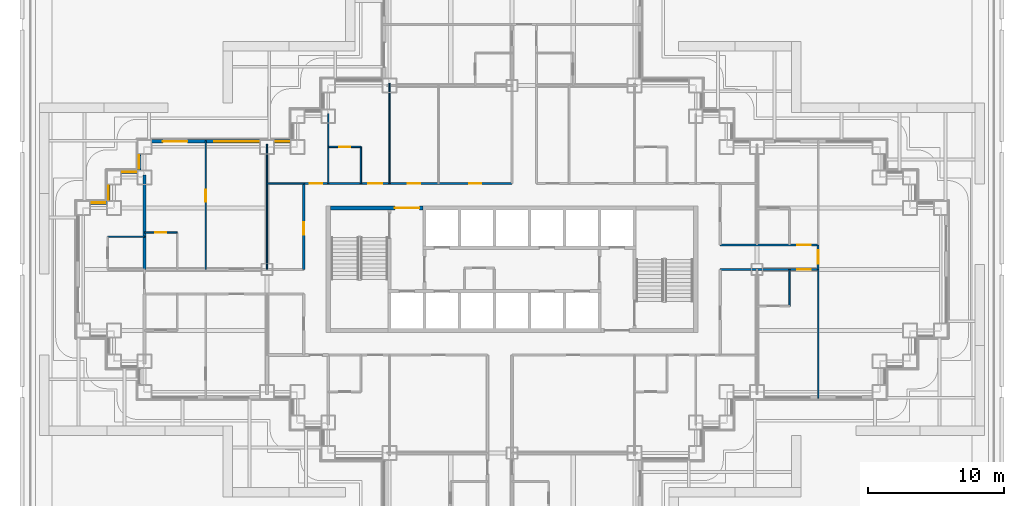
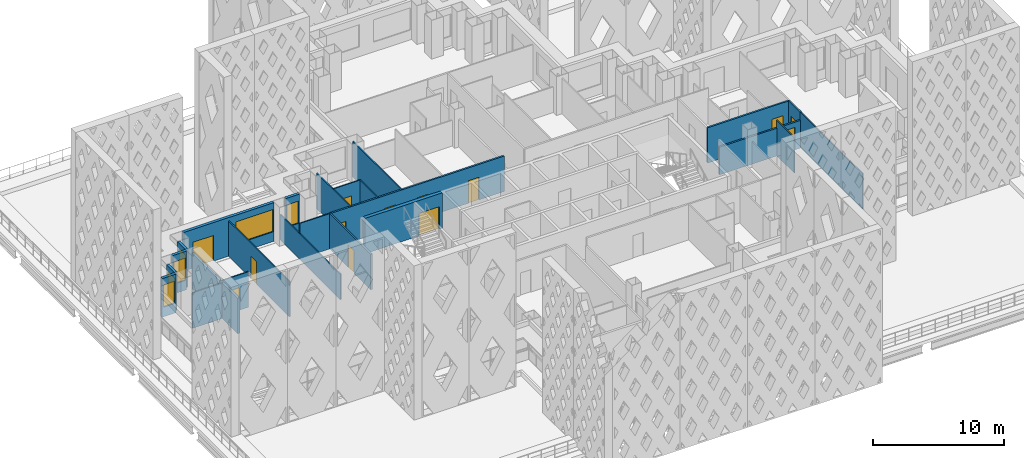
# One storey, part 7 of 26: 24 walls, 13 doors, 6 windows, 19 openings.
"""IFC4 building model written with IfcOpenShell, lengths in metres."""

from ifc_helpers import new_model, si_unit, direction, frame, frame_2d, origin, place, context, subcontext, project, spatial, rectangle, extrude, material, layer, layer_set, type_object, element, fill, save


model = new_model("IFC4")

# Units and contexts
model_context = context("Model", 3, precision=1e-05, world=origin(), true_north=direction((0.0, 1.0)))
body_context = subcontext(model_context, "Body", "Model", "MODEL_VIEW")
ifc_project = project(units=[si_unit("LENGTHUNIT", "METRE"), si_unit("AREAUNIT", "SQUARE_METRE"), si_unit("VOLUMEUNIT", "CUBIC_METRE"), si_unit("PLANEANGLEUNIT", "RADIAN"), si_unit("MASSUNIT", "GRAM", prefix="KILO")], contexts=[model_context])

# Site, building, storey
site_placement = place(None, origin())
site = spatial("IfcSite", under=ifc_project, at=site_placement, CompositionType="ELEMENT")
building_placement = place(site_placement, origin())
building = spatial("IfcBuilding", under=site, at=building_placement, Name="Caravel Reach Hotel and Residences", CompositionType="ELEMENT")
storey_placement = place(building_placement, frame((0.0, 0.0, 33.60009765625)))
storey = spatial("IfcBuildingStorey", under=building, at=storey_placement, Name="L06", CompositionType="ELEMENT", Elevation=33.60009765625)

# Wall
ifc_material_1 = material(Name="Gypsum board on steel stud", Category="steel")
ifc_layer_1 = layer(ifc_material_1, 0.10009765625)
ifc_layer_set_1 = layer_set([ifc_layer_1], Name="Bathroom pod wall 100 mm")
wall_type_1 = type_object("IfcWallType", Name="Bathroom pod wall 100 mm", PredefinedType="PARTITIONING", material=ifc_layer_set_1)
wall_1_placement = place(storey_placement, frame((1.800048828125, 29.39990234375, 0.0), z_axis=(0.0, 0.0, 1.0), x_axis=(1.0, 0.0, 0.0)))
element("IfcWall", 1, at=wall_1_placement, inside=storey, type_object=wall_type_1, Name="L06 wall w087", PredefinedType="PARTITIONING", context=body_context, shape_type="SweptSolid", body=[
    extrude(rectangle(XDim=2.699951171875, YDim=0.10009765625, at=frame_2d((1.35009765625, 0.0))), origin(), (0.0, 0.0, 1.0), 3.2998046875),
])

# Wall, opening, door
wall_2_placement = place(storey_placement, frame((4.5, 29.699951171875, 0.0), z_axis=(0.0, 0.0, 1.0), x_axis=(1.0, 0.0, 0.0)))
wall_2 = element("IfcWall", 2, at=wall_2_placement, inside=storey, type_object=wall_type_1, Name="L06 wall w088", PredefinedType="PARTITIONING", context=body_context, shape_type="SweptSolid", body=[
    extrude(rectangle(XDim=2.39990234375, YDim=0.10009765625, at=frame_2d((1.199951171875, 0.0))), origin(), (0.0, 0.0, 1.0), 3.2998046875),
])
opening_1_placement = place(wall_2_placement, frame((0.800048828125, 0.0, 0.0)))
opening_1 = element("IfcOpeningElement", 3, at=opening_1_placement, cuts=wall_2, Name="Opening D06-020", PredefinedType="OPENING", context=body_context, shape_type="SweptSolid", body=[
    extrude(rectangle(XDim=0.800048828125, YDim=2.10009765625, at=frame_2d((0.39990234375, 1.050048828125))), frame((0.0, 0.06005859375, 0.0), z_axis=(0.0, -1.0, 0.0), x_axis=(1.0, 0.0, 0.0)), (0.0, 0.0, 1.0), 0.1201171875),
])
ifc_material_2 = material(Name="Timber and steel door leaf", Category="steel")
door_type_1 = type_object("IfcDoorType", Name="Bathroom door 800 x 2100", OperationType="SINGLE_SWING_LEFT", PredefinedType="DOOR", material=ifc_material_2)
door_1_placement = place(opening_1_placement, origin())
door_1 = element("IfcDoor", 4, at=door_1_placement, inside=storey, type_object=door_type_1, Name="door D06-020", OperationType="SINGLE_SWING_LEFT", OverallHeight=2.10009765625, OverallWidth=0.800048828125, PredefinedType="DOOR", context=body_context, shape_type="SweptSolid", body=[
    extrude(rectangle(XDim=0.800048828125, YDim=2.10009765625, at=frame_2d((0.39990234375, 1.050048828125))), frame((0.0, 0.02490234375, 0.0), z_axis=(0.0, -1.0, 0.0), x_axis=(1.0, 0.0, 0.0)), (0.0, 0.0, 1.0), 0.050048828125),
])
fill(opening_1, door_1)

wall_3_placement = place(storey_placement, frame((18.0, 36.0, 0.0), z_axis=(0.0, 0.0, 1.0), x_axis=(1.0, 0.0, 0.0)))
wall_3 = element("IfcWall", 5, at=wall_3_placement, inside=storey, type_object=wall_type_1, Name="L06 wall w090", PredefinedType="PARTITIONING", context=body_context, shape_type="SweptSolid", body=[
    extrude(rectangle(XDim=2.39990234375, YDim=0.10009765625, at=frame_2d((1.199951171875, 0.0))), origin(), (0.0, 0.0, 1.0), 3.2998046875),
])
opening_2_placement = place(wall_3_placement, frame((0.800048828125, 0.0, 0.0)))
opening_2 = element("IfcOpeningElement", 6, at=opening_2_placement, cuts=wall_3, Name="Opening D06-044", PredefinedType="OPENING", context=body_context, shape_type="SweptSolid", body=[
    extrude(rectangle(XDim=0.800048828125, YDim=2.10009765625, at=frame_2d((0.39990234375, 1.050048828125))), frame((0.0, 0.06005859375, 0.0), z_axis=(0.0, -1.0, 0.0), x_axis=(1.0, 0.0, 0.0)), (0.0, 0.0, 1.0), 0.1201171875),
])
door_2_placement = place(opening_2_placement, origin())
door_2 = element("IfcDoor", 7, at=door_2_placement, inside=storey, type_object=door_type_1, Name="door D06-044", OperationType="SINGLE_SWING_RIGHT", OverallHeight=2.10009765625, OverallWidth=0.800048828125, PredefinedType="DOOR", context=body_context, shape_type="SweptSolid", body=[
    extrude(rectangle(XDim=0.800048828125, YDim=2.10009765625, at=frame_2d((0.39990234375, 1.050048828125))), frame((0.0, 0.02490234375, 0.0), z_axis=(0.0, -1.0, 0.0), x_axis=(1.0, 0.0, 0.0)), (0.0, 0.0, 1.0), 0.050048828125),
])
fill(opening_2, door_2)

# Walls
for number, where, z_axis, x_axis, name in (
    (8, (20.39990234375, 33.300048828125, 0.0), (0.0, 0.0, 1.0), (0.0, 1.0, 0.0), "L06 wall w097"),
    (9, (51.89990234375, 24.300048828125, 0.0), (0.0, 0.0, 1.0), (0.0, 1.0, 0.0), "L06 wall w110"),
):
    element("IfcWall", number, at=place(storey_placement, frame(where, z_axis=z_axis, x_axis=x_axis)), inside=storey, type_object=wall_type_1, Name=name, PredefinedType="PARTITIONING", context=body_context, shape_type="SweptSolid", body=[
        extrude(rectangle(XDim=2.699951171875, YDim=0.10009765625, at=frame_2d((1.35009765625, 0.0))), origin(), (0.0, 0.0, 1.0), 3.2998046875),
    ])

# Wall, opening, door
ifc_material_3 = material(Name="Concrete C60", Category="concrete")
ifc_layer_2 = layer(ifc_material_3, 0.300048828125)
ifc_layer_set_2 = layer_set([ifc_layer_2], Name="Core wall 300 mm EI 120")
wall_type_2 = type_object("IfcWallType", Name="Core wall 300 mm EI 120", PredefinedType="SHEAR", material=ifc_layer_set_2)
wall_4_placement = place(storey_placement, frame((18.14990234375, 31.5, 0.0), z_axis=(0.0, 0.0, 1.0), x_axis=(1.0, 0.0, 0.0)))
wall_4 = element("IfcWall", 10, at=wall_4_placement, inside=storey, type_object=wall_type_2, Name="L06 core wall N1", PredefinedType="SHEAR", context=body_context, shape_type="SweptSolid", body=[
    extrude(rectangle(XDim=6.796630859375, YDim=0.300048828125, at=frame_2d((3.3984375, 0.0))), origin(), (0.0, 0.0, 1.0), 3.2998046875),
])
opening_3_placement = place(wall_4_placement, frame((4.735595703125, 0.0, 0.0)))
opening_3 = element("IfcOpeningElement", 11, at=opening_3_placement, cuts=wall_4, Name="Opening D06-013", PredefinedType="OPENING", context=body_context, shape_type="SweptSolid", body=[
    extrude(rectangle(XDim=1.800048828125, YDim=2.10009765625, at=frame_2d((0.89990234375, 1.050048828125))), frame((0.0, 0.159912109375, 0.0), z_axis=(0.0, -1.0, 0.0), x_axis=(1.0, 0.0, 0.0)), (0.0, 0.0, 1.0), 0.320068359375),
])
ifc_material_4 = material(Name="Steel fire door leaf", Category="steel")
door_type_2 = type_object("IfcDoorType", Name="Fire lobby door pair 1800 x 2100 EI 90", OperationType="DOUBLE_DOOR_SINGLE_SWING", PredefinedType="DOOR", material=ifc_material_4)
door_3_placement = place(opening_3_placement, origin())
door_3 = element("IfcDoor", 12, at=door_3_placement, inside=storey, type_object=door_type_2, Name="lobby N door pair to corridor", OperationType="DOUBLE_DOOR_SINGLE_SWING", OverallHeight=2.10009765625, OverallWidth=1.800048828125, PredefinedType="DOOR", context=body_context, shape_type="SweptSolid", body=[
    extrude(rectangle(XDim=1.800048828125, YDim=2.10009765625, at=frame_2d((0.89990234375, 1.050048828125))), frame((0.0, 0.02490234375, 0.0), z_axis=(0.0, -1.0, 0.0), x_axis=(1.0, 0.0, 0.0)), (0.0, 0.0, 1.0), 0.050048828125),
])
fill(opening_3, door_3)

ifc_material_5 = material(Name="Gypsum board on steel stud, fire-rated", Category="steel")
ifc_layer_3 = layer(ifc_material_5, 0.14990234375)
ifc_layer_set_3 = layer_set([ifc_layer_3], Name="Corridor wall 150 mm EI 60")
wall_type_3 = type_object("IfcWallType", Name="Corridor wall 150 mm EI 60", PredefinedType="PARTITIONING", material=ifc_layer_set_3)
wall_5_placement = place(storey_placement, frame((46.800048828125, 27.0, 0.0), z_axis=(0.0, 0.0, 1.0), x_axis=(1.0, 0.0, 0.0)))
wall_5 = element("IfcWall", 13, at=wall_5_placement, inside=storey, type_object=wall_type_3, Name="L06 wall w010", PredefinedType="PARTITIONING", context=body_context, shape_type="SweptSolid", body=[
    extrude(rectangle(XDim=7.199951171875, YDim=0.14990234375, at=frame_2d((3.60009765625, 0.0))), origin(), (0.0, 0.0, 1.0), 2.579833984375),
])
opening_4_placement = place(wall_5_placement, frame((5.64990234375, 0.0, 0.0)))
opening_4 = element("IfcOpeningElement", 14, at=opening_4_placement, cuts=wall_5, Name="Opening D06-021", PredefinedType="OPENING", context=body_context, shape_type="SweptSolid", body=[
    extrude(rectangle(XDim=1.0, YDim=2.10009765625, at=frame_2d((0.5, 1.050048828125))), frame((0.0, 0.0849609375, 0.0), z_axis=(0.0, -1.0, 0.0), x_axis=(1.0, 0.0, 0.0)), (0.0, 0.0, 1.0), 0.169921875),
])
ifc_material_6 = material(Name="Steel fire door leaf", Category="steel")
door_type_3 = type_object("IfcDoorType", Name="Guest room door 1000 x 2100 EI 30", OperationType="SINGLE_SWING_LEFT", PredefinedType="DOOR", material=ifc_material_6)
door_4_placement = place(opening_4_placement, origin())
door_4 = element("IfcDoor", 15, at=door_4_placement, inside=storey, type_object=door_type_3, Name="door D06-021", OperationType="SINGLE_SWING_RIGHT", OverallHeight=2.10009765625, OverallWidth=1.0, PredefinedType="DOOR", context=body_context, shape_type="SweptSolid", body=[
    extrude(rectangle(XDim=1.0, YDim=2.10009765625, at=frame_2d((0.5, 1.050048828125))), frame((0.0, 0.02490234375, 0.0), z_axis=(0.0, -1.0, 0.0), x_axis=(1.0, 0.0, 0.0)), (0.0, 0.0, 1.0), 0.050048828125),
])
fill(opening_4, door_4)

wall_6_placement = place(storey_placement, frame((46.800048828125, 28.800048828125, 0.0), z_axis=(0.0, 0.0, 1.0), x_axis=(1.0, 0.0, 0.0)))
wall_6 = element("IfcWall", 16, at=wall_6_placement, inside=storey, type_object=wall_type_3, Name="L06 wall w015", PredefinedType="PARTITIONING", context=body_context, shape_type="SweptSolid", body=[
    extrude(rectangle(XDim=7.199951171875, YDim=0.14990234375, at=frame_2d((3.60009765625, 0.0))), origin(), (0.0, 0.0, 1.0), 3.2998046875),
])
opening_5_placement = place(wall_6_placement, frame((5.64990234375, 0.0, 0.0)))
opening_5 = element("IfcOpeningElement", 17, at=opening_5_placement, cuts=wall_6, Name="Opening D06-023", PredefinedType="OPENING", context=body_context, shape_type="SweptSolid", body=[
    extrude(rectangle(XDim=1.0, YDim=2.10009765625, at=frame_2d((0.5, 1.050048828125))), frame((0.0, 0.0849609375, 0.0), z_axis=(0.0, -1.0, 0.0), x_axis=(1.0, 0.0, 0.0)), (0.0, 0.0, 1.0), 0.169921875),
])
door_5_placement = place(opening_5_placement, origin())
door_5 = element("IfcDoor", 18, at=door_5_placement, inside=storey, type_object=door_type_3, Name="door D06-023", OperationType="SINGLE_SWING_RIGHT", OverallHeight=2.10009765625, OverallWidth=1.0, PredefinedType="DOOR", context=body_context, shape_type="SweptSolid", body=[
    extrude(rectangle(XDim=1.0, YDim=2.10009765625, at=frame_2d((0.5, 1.050048828125))), frame((0.0, 0.02490234375, 0.0), z_axis=(0.0, -1.0, 0.0), x_axis=(1.0, 0.0, 0.0)), (0.0, 0.0, 1.0), 0.050048828125),
])
fill(opening_5, door_5)

# Wall, openings, doors
wall_7_placement = place(storey_placement, frame((16.199951171875, 33.300048828125, 0.0), z_axis=(0.0, 0.0, 1.0), x_axis=(1.0, 0.0, 0.0)))
wall_7 = element("IfcWall", 19, at=wall_7_placement, inside=storey, type_object=wall_type_3, Name="L06 wall w022", PredefinedType="PARTITIONING", context=body_context, shape_type="SweptSolid", body=[
    extrude(rectangle(XDim=15.300048828125, YDim=0.14990234375, at=frame_2d((7.64990234375, 0.0))), origin(), (0.0, 0.0, 1.0), 3.2998046875),
])
opening_6_placement = place(wall_7_placement, frame((4.75, 0.0, 0.0)))
opening_6 = element("IfcOpeningElement", 20, at=opening_6_placement, cuts=wall_7, Name="Opening D06-043", PredefinedType="OPENING", context=body_context, shape_type="SweptSolid", body=[
    extrude(rectangle(XDim=1.0, YDim=2.10009765625, at=frame_2d((0.5, 1.050048828125))), frame((0.0, 0.0849609375, 0.0), z_axis=(0.0, -1.0, 0.0), x_axis=(1.0, 0.0, 0.0)), (0.0, 0.0, 1.0), 0.169921875),
])
opening_7_placement = place(wall_7_placement, frame((0.449951171875, 0.0, 0.0)))
opening_7 = element("IfcOpeningElement", 21, at=opening_7_placement, cuts=wall_7, Name="Opening D06-045", PredefinedType="OPENING", context=body_context, shape_type="SweptSolid", body=[
    extrude(rectangle(XDim=0.89990234375, YDim=2.10009765625, at=frame_2d((0.449951171875, 1.050048828125))), frame((0.0, 0.0849609375, 0.0), z_axis=(0.0, -1.0, 0.0), x_axis=(1.0, 0.0, 0.0)), (0.0, 0.0, 1.0), 0.169921875),
])
opening_8_placement = place(wall_7_placement, frame((7.650146484375, 0.0, 0.0)))
opening_8 = element("IfcOpeningElement", 22, at=opening_8_placement, cuts=wall_7, Name="Opening D06-055", PredefinedType="OPENING", context=body_context, shape_type="SweptSolid", body=[
    extrude(rectangle(XDim=0.89990234375, YDim=2.10009765625, at=frame_2d((0.449951171875, 1.050048828125))), frame((0.0, 0.0849609375, 0.0), z_axis=(0.0, -1.0, 0.0), x_axis=(1.0, 0.0, 0.0)), (0.0, 0.0, 1.0), 0.169921875),
])
opening_9_placement = place(wall_7_placement, frame((12.14990234375, 0.0, 0.0)))
opening_9 = element("IfcOpeningElement", 23, at=opening_9_placement, cuts=wall_7, Name="Opening D06-056", PredefinedType="OPENING", context=body_context, shape_type="SweptSolid", body=[
    extrude(rectangle(XDim=0.89990234375, YDim=2.10009765625, at=frame_2d((0.449951171875, 1.050048828125))), frame((0.0, 0.0849609375, 0.0), z_axis=(0.0, -1.0, 0.0), x_axis=(1.0, 0.0, 0.0)), (0.0, 0.0, 1.0), 0.169921875),
])
ifc_material_7 = material(Name="Timber and steel door leaf", Category="steel")
door_type_4 = type_object("IfcDoorType", Name="Door 900 x 2100 timber", OperationType="SINGLE_SWING_LEFT", PredefinedType="DOOR", material=ifc_material_7)
door_6_placement = place(opening_7_placement, origin())
door_6 = element("IfcDoor", 24, at=door_6_placement, inside=storey, type_object=door_type_4, Name="door D06-045", OperationType="SINGLE_SWING_LEFT", OverallHeight=2.10009765625, OverallWidth=0.89990234375, PredefinedType="DOOR", context=body_context, shape_type="SweptSolid", body=[
    extrude(rectangle(XDim=0.89990234375, YDim=2.10009765625, at=frame_2d((0.449951171875, 1.050048828125))), frame((0.0, 0.02490234375, 0.0), z_axis=(0.0, -1.0, 0.0), x_axis=(1.0, 0.0, 0.0)), (0.0, 0.0, 1.0), 0.050048828125),
])
fill(opening_7, door_6)
door_7_placement = place(opening_8_placement, origin())
door_7 = element("IfcDoor", 25, at=door_7_placement, inside=storey, type_object=door_type_4, Name="door D06-055", OperationType="SINGLE_SWING_RIGHT", OverallHeight=2.10009765625, OverallWidth=0.89990234375, PredefinedType="DOOR", context=body_context, shape_type="SweptSolid", body=[
    extrude(rectangle(XDim=0.89990234375, YDim=2.10009765625, at=frame_2d((0.449951171875, 1.050048828125))), frame((0.0, 0.02490234375, 0.0), z_axis=(0.0, -1.0, 0.0), x_axis=(1.0, 0.0, 0.0)), (0.0, 0.0, 1.0), 0.050048828125),
])
fill(opening_8, door_7)
door_8_placement = place(opening_9_placement, origin())
door_8 = element("IfcDoor", 26, at=door_8_placement, inside=storey, type_object=door_type_4, Name="door D06-056", OperationType="SINGLE_SWING_LEFT", OverallHeight=2.10009765625, OverallWidth=0.89990234375, PredefinedType="DOOR", context=body_context, shape_type="SweptSolid", body=[
    extrude(rectangle(XDim=0.89990234375, YDim=2.10009765625, at=frame_2d((0.449951171875, 1.050048828125))), frame((0.0, 0.02490234375, 0.0), z_axis=(0.0, -1.0, 0.0), x_axis=(1.0, 0.0, 0.0)), (0.0, 0.0, 1.0), 0.050048828125),
])
fill(opening_9, door_8)
door_9_placement = place(opening_6_placement, origin())
door_9 = element("IfcDoor", 27, at=door_9_placement, inside=storey, type_object=door_type_3, Name="door D06-043", OperationType="SINGLE_SWING_RIGHT", OverallHeight=2.10009765625, OverallWidth=1.0, PredefinedType="DOOR", context=body_context, shape_type="SweptSolid", body=[
    extrude(rectangle(XDim=1.0, YDim=2.10009765625, at=frame_2d((0.5, 1.050048828125))), frame((0.0, 0.02490234375, 0.0), z_axis=(0.0, -1.0, 0.0), x_axis=(1.0, 0.0, 0.0)), (0.0, 0.0, 1.0), 0.050048828125),
])
fill(opening_6, door_9)

# Wall, opening, door
wall_8_placement = place(storey_placement, frame((16.199951171875, 27.0, 0.0), z_axis=(0.0, 0.0, 1.0), x_axis=(0.0, 1.0, 0.0)))
wall_8 = element("IfcWall", 28, at=wall_8_placement, inside=storey, type_object=wall_type_3, Name="L06 wall w026", PredefinedType="PARTITIONING", context=body_context, shape_type="SweptSolid", body=[
    extrude(rectangle(XDim=6.300048828125, YDim=0.14990234375, at=frame_2d((3.14990234375, 0.0))), origin(), (0.0, 0.0, 1.0), 3.2998046875),
])
opening_10_placement = place(wall_8_placement, frame((2.550048828125, 0.0, 0.0)))
opening_10 = element("IfcOpeningElement", 29, at=opening_10_placement, cuts=wall_8, Name="Opening D06-062", PredefinedType="OPENING", context=body_context, shape_type="SweptSolid", body=[
    extrude(rectangle(XDim=0.89990234375, YDim=2.10009765625, at=frame_2d((0.449951171875, 1.050048828125))), frame((0.0, 0.0849609375, 0.0), z_axis=(0.0, -1.0, 0.0), x_axis=(1.0, 0.0, 0.0)), (0.0, 0.0, 1.0), 0.169921875),
])
door_10_placement = place(opening_10_placement, origin())
door_10 = element("IfcDoor", 30, at=door_10_placement, inside=storey, type_object=door_type_4, Name="door D06-062", OperationType="SINGLE_SWING_LEFT", OverallHeight=2.10009765625, OverallWidth=0.89990234375, PredefinedType="DOOR", context=body_context, shape_type="SweptSolid", body=[
    extrude(rectangle(XDim=0.89990234375, YDim=2.10009765625, at=frame_2d((0.449951171875, 1.050048828125))), frame((0.0, 0.02490234375, 0.0), z_axis=(0.0, -1.0, 0.0), x_axis=(1.0, 0.0, 0.0)), (0.0, 0.0, 1.0), 0.050048828125),
])
fill(opening_10, door_10)

wall_9_placement = place(storey_placement, frame((54.0, 27.0, 0.0), z_axis=(0.0, 0.0, 1.0), x_axis=(0.0, 1.0, 0.0)))
wall_9 = element("IfcWall", 31, at=wall_9_placement, inside=storey, type_object=wall_type_3, Name="L06 wall w041", PredefinedType="PARTITIONING", context=body_context, shape_type="SweptSolid", body=[
    extrude(rectangle(XDim=1.800048828125, YDim=0.14990234375, at=frame_2d((0.89990234375, 0.0))), origin(), (0.0, 0.0, 1.0), 3.2998046875),
])
opening_11_placement = place(wall_9_placement, frame((0.39990234375, 0.0, 0.0)))
opening_11 = element("IfcOpeningElement", 32, at=opening_11_placement, cuts=wall_9, Name="Opening D06-039", PredefinedType="OPENING", context=body_context, shape_type="SweptSolid", body=[
    extrude(rectangle(XDim=1.0, YDim=2.10009765625, at=frame_2d((0.5, 1.050048828125))), frame((0.0, 0.0849609375, 0.0), z_axis=(0.0, -1.0, 0.0), x_axis=(1.0, 0.0, 0.0)), (0.0, 0.0, 1.0), 0.169921875),
])
door_11_placement = place(opening_11_placement, origin())
door_11 = element("IfcDoor", 33, at=door_11_placement, inside=storey, type_object=door_type_3, Name="door D06-039", OperationType="SINGLE_SWING_LEFT", OverallHeight=2.10009765625, OverallWidth=1.0, PredefinedType="DOOR", context=body_context, shape_type="SweptSolid", body=[
    extrude(rectangle(XDim=1.0, YDim=2.10009765625, at=frame_2d((0.5, 1.050048828125))), frame((0.0, 0.02490234375, 0.0), z_axis=(0.0, -1.0, 0.0), x_axis=(1.0, 0.0, 0.0)), (0.0, 0.0, 1.0), 0.050048828125),
])
fill(opening_11, door_11)

# Wall, opening, window
ifc_material_8 = material(Name="Insulated rainscreen wall, aluminium cladding", Category="aluminium")
ifc_layer_4 = layer(ifc_material_8, 0.25)
ifc_layer_set_4 = layer_set([ifc_layer_4], Name="EW1 Tower rainscreen wall")
wall_type_4 = type_object("IfcWallType", Name="EW1 Tower rainscreen wall", PredefinedType="SOLIDWALL", material=ifc_layer_set_4)
wall_10_placement = place(storey_placement, frame((15.22509765625, 36.39990234375, 0.0), z_axis=(0.0, 0.0, 1.0), x_axis=(-1.0, 0.0, 0.0)))
wall_10 = element("IfcWall", 34, at=wall_10_placement, inside=storey, type_object=wall_type_4, Name="External wall L06 N45.1", PredefinedType="SOLIDWALL", context=body_context, shape_type="SweptSolid", body=[
    extrude(rectangle(XDim=1.2001953125, YDim=0.25, at=frame_2d((0.60009765625, 0.0))), origin(), (0.0, 0.0, 1.0), 3.599853515625),
])
opening_12_placement = place(wall_10_placement, frame((0.10009765625, 0.0, 0.89990234375)))
opening_12 = element("IfcOpeningElement", 35, at=opening_12_placement, cuts=wall_10, Name="Opening WN1", PredefinedType="OPENING", context=body_context, shape_type="SweptSolid", body=[
    extrude(rectangle(XDim=1.0, YDim=2.080078125, at=frame_2d((0.5, 1.0400390625))), frame((0.0, 0.135009765625, 0.0), z_axis=(0.0, -1.0, 0.0), x_axis=(1.0, 0.0, 0.0)), (0.0, 0.0, 1.0), 0.27001953125),
])
ifc_material_9 = material(Name="Dark low-e glazing in black aluminium frame", Category="aluminium")
window_type_1 = type_object("IfcWindowType", Name="Hotel suite corner window 1000 x 2080", PartitioningType="SINGLE_PANEL", PredefinedType="WINDOW", material=ifc_material_9)
window_1_placement = place(opening_12_placement, origin())
window_1 = element("IfcWindow", 36, at=window_1_placement, inside=storey, type_object=window_type_1, Name="Window L06 N45.1.1", OverallHeight=2.080078125, OverallWidth=1.0, PartitioningType="SINGLE_PANEL", PredefinedType="WINDOW", context=body_context, shape_type="SweptSolid", body=[
    extrude(rectangle(XDim=1.0, YDim=2.080078125, at=frame_2d((0.5, 1.0400390625))), frame((0.0, 0.030029296875, 0.0), z_axis=(0.0, -1.0, 0.0), x_axis=(1.0, 0.0, 0.0)), (0.0, 0.0, 1.0), 0.06005859375),
])
fill(opening_12, window_1)

# Wall, openings, window, door
wall_11_placement = place(storey_placement, frame((12.97509765625, 36.39990234375, 0.0), z_axis=(0.0, 0.0, 1.0), x_axis=(-1.0, 0.0, 0.0)))
wall_11 = element("IfcWall", 37, at=wall_11_placement, inside=storey, type_object=wall_type_4, Name="External wall L06 N45.2", PredefinedType="SOLIDWALL", context=body_context, shape_type="SweptSolid", body=[
    extrude(rectangle(XDim=7.9501953125, YDim=0.25, at=frame_2d((3.97509765625, 0.0))), origin(), (0.0, 0.0, 1.0), 3.599853515625),
])
opening_13_placement = place(wall_11_placement, frame((0.10009765625, 0.0, 0.89990234375)))
opening_13 = element("IfcOpeningElement", 38, at=opening_13_placement, cuts=wall_11, Name="Opening WN2", PredefinedType="OPENING", context=body_context, shape_type="SweptSolid", body=[
    extrude(rectangle(XDim=3.25, YDim=2.080078125, at=frame_2d((1.625, 1.0400390625))), frame((0.0, 0.135009765625, 0.0), z_axis=(0.0, -1.0, 0.0), x_axis=(1.0, 0.0, 0.0)), (0.0, 0.0, 1.0), 0.27001953125),
])
opening_14_placement = place(wall_11_placement, frame((5.324951171875, 0.0, 0.0)))
opening_14 = element("IfcOpeningElement", 39, at=opening_14_placement, cuts=wall_11, Name="Opening D06-807", PredefinedType="OPENING", context=body_context, shape_type="SweptSolid", body=[
    extrude(rectangle(XDim=1.800048828125, YDim=2.39990234375, at=frame_2d((0.89990234375, 1.199951171875))), frame((0.0, 0.135009765625, 0.0), z_axis=(0.0, -1.0, 0.0), x_axis=(1.0, 0.0, 0.0)), (0.0, 0.0, 1.0), 0.27001953125),
])
ifc_material_10 = material(Name="Dark low-e glazing in black aluminium frame", Category="aluminium")
window_type_2 = type_object("IfcWindowType", Name="Hotel guest room window 3250 x 2080", PartitioningType="SINGLE_PANEL", PredefinedType="WINDOW", material=ifc_material_10)
window_2_placement = place(opening_13_placement, origin())
window_2 = element("IfcWindow", 40, at=window_2_placement, inside=storey, type_object=window_type_2, Name="Window L06 N45.2.1", OverallHeight=2.080078125, OverallWidth=3.25, PartitioningType="SINGLE_PANEL", PredefinedType="WINDOW", context=body_context, shape_type="SweptSolid", body=[
    extrude(rectangle(XDim=3.25, YDim=2.080078125, at=frame_2d((1.625, 1.0400390625))), frame((0.0, 0.030029296875, 0.0), z_axis=(0.0, -1.0, 0.0), x_axis=(1.0, 0.0, 0.0)), (0.0, 0.0, 1.0), 0.06005859375),
])
fill(opening_13, window_2)
ifc_material_11 = material(Name="Dark glazed door in black aluminium frame", Category="aluminium")
door_type_5 = type_object("IfcDoorType", Name="Terrace door 1800 x 2400", OperationType="DOUBLE_DOOR_SINGLE_SWING", PredefinedType="DOOR", material=ifc_material_11)
door_12_placement = place(opening_14_placement, origin())
door_12 = element("IfcDoor", 41, at=door_12_placement, inside=storey, type_object=door_type_5, Name="Door D06-807", OperationType="DOUBLE_DOOR_SINGLE_SWING", OverallHeight=2.39990234375, OverallWidth=1.800048828125, PredefinedType="DOOR", context=body_context, shape_type="SweptSolid", body=[
    extrude(rectangle(XDim=1.800048828125, YDim=2.39990234375, at=frame_2d((0.89990234375, 1.199951171875))), frame((0.0, 0.02490234375, 0.0), z_axis=(0.0, -1.0, 0.0), x_axis=(1.0, 0.0, 0.0)), (0.0, 0.0, 1.0), 0.050048828125),
])
fill(opening_14, door_12)

# Wall, opening, window
wall_12_placement = place(storey_placement, frame((4.10009765625, 35.47509765625, 0.0), z_axis=(0.0, 0.0, 1.0), x_axis=(0.0, -1.0, 0.0)))
wall_12 = element("IfcWall", 42, at=wall_12_placement, inside=storey, type_object=wall_type_4, Name="External wall L06 W46.1", PredefinedType="SOLIDWALL", context=body_context, shape_type="SweptSolid", body=[
    extrude(rectangle(XDim=1.2001953125, YDim=0.25, at=frame_2d((0.60009765625, 0.0))), origin(), (0.0, 0.0, 1.0), 3.599853515625),
])
opening_15_placement = place(wall_12_placement, frame((0.10009765625, 0.0, 0.89990234375)))
opening_15 = element("IfcOpeningElement", 43, at=opening_15_placement, cuts=wall_12, Name="Opening WN1", PredefinedType="OPENING", context=body_context, shape_type="SweptSolid", body=[
    extrude(rectangle(XDim=1.0, YDim=2.080078125, at=frame_2d((0.5, 1.0400390625))), frame((0.0, 0.135009765625, 0.0), z_axis=(0.0, -1.0, 0.0), x_axis=(1.0, 0.0, 0.0)), (0.0, 0.0, 1.0), 0.27001953125),
])
window_3_placement = place(opening_15_placement, origin())
window_3 = element("IfcWindow", 44, at=window_3_placement, inside=storey, type_object=window_type_1, Name="Window L06 W46.1.1", OverallHeight=2.080078125, OverallWidth=1.0, PartitioningType="SINGLE_PANEL", PredefinedType="WINDOW", context=body_context, shape_type="SweptSolid", body=[
    extrude(rectangle(XDim=1.0, YDim=2.080078125, at=frame_2d((0.5, 1.0400390625))), frame((0.0, 0.030029296875, 0.0), z_axis=(0.0, -1.0, 0.0), x_axis=(1.0, 0.0, 0.0)), (0.0, 0.0, 1.0), 0.06005859375),
])
fill(opening_15, window_3)

wall_13_placement = place(storey_placement, frame((3.97509765625, 34.14990234375, 0.0), z_axis=(0.0, 0.0, 1.0), x_axis=(-1.0, 0.0, 0.0)))
wall_13 = element("IfcWall", 45, at=wall_13_placement, inside=storey, type_object=wall_type_4, Name="External wall L06 N47.1", PredefinedType="SOLIDWALL", context=body_context, shape_type="SweptSolid", body=[
    extrude(rectangle(XDim=1.2001953125, YDim=0.25, at=frame_2d((0.60009765625, 0.0))), origin(), (0.0, 0.0, 1.0), 3.599853515625),
])
opening_16_placement = place(wall_13_placement, frame((0.10009765625, 0.0, 0.89990234375)))
opening_16 = element("IfcOpeningElement", 46, at=opening_16_placement, cuts=wall_13, Name="Opening WN1", PredefinedType="OPENING", context=body_context, shape_type="SweptSolid", body=[
    extrude(rectangle(XDim=1.0, YDim=2.080078125, at=frame_2d((0.5, 1.0400390625))), frame((0.0, 0.135009765625, 0.0), z_axis=(0.0, -1.0, 0.0), x_axis=(1.0, 0.0, 0.0)), (0.0, 0.0, 1.0), 0.27001953125),
])
window_4_placement = place(opening_16_placement, origin())
window_4 = element("IfcWindow", 47, at=window_4_placement, inside=storey, type_object=window_type_1, Name="Window L06 N47.1.1", OverallHeight=2.080078125, OverallWidth=1.0, PartitioningType="SINGLE_PANEL", PredefinedType="WINDOW", context=body_context, shape_type="SweptSolid", body=[
    extrude(rectangle(XDim=1.0, YDim=2.080078125, at=frame_2d((0.5, 1.0400390625))), frame((0.0, 0.030029296875, 0.0), z_axis=(0.0, -1.0, 0.0), x_axis=(1.0, 0.0, 0.0)), (0.0, 0.0, 1.0), 0.06005859375),
])
fill(opening_16, window_4)

wall_14_placement = place(storey_placement, frame((1.85009765625, 33.22509765625, 0.0), z_axis=(0.0, 0.0, 1.0), x_axis=(0.0, -1.0, 0.0)))
wall_14 = element("IfcWall", 48, at=wall_14_placement, inside=storey, type_object=wall_type_4, Name="External wall L06 W48.1", PredefinedType="SOLIDWALL", context=body_context, shape_type="SweptSolid", body=[
    extrude(rectangle(XDim=1.2001953125, YDim=0.25, at=frame_2d((0.60009765625, 0.0))), origin(), (0.0, 0.0, 1.0), 3.599853515625),
])
opening_17_placement = place(wall_14_placement, frame((0.10009765625, 0.0, 0.89990234375)))
opening_17 = element("IfcOpeningElement", 49, at=opening_17_placement, cuts=wall_14, Name="Opening WN1", PredefinedType="OPENING", context=body_context, shape_type="SweptSolid", body=[
    extrude(rectangle(XDim=1.0, YDim=2.080078125, at=frame_2d((0.5, 1.0400390625))), frame((0.0, 0.135009765625, 0.0), z_axis=(0.0, -1.0, 0.0), x_axis=(1.0, 0.0, 0.0)), (0.0, 0.0, 1.0), 0.27001953125),
])
window_5_placement = place(opening_17_placement, origin())
window_5 = element("IfcWindow", 50, at=window_5_placement, inside=storey, type_object=window_type_1, Name="Window L06 W48.1.1", OverallHeight=2.080078125, OverallWidth=1.0, PartitioningType="SINGLE_PANEL", PredefinedType="WINDOW", context=body_context, shape_type="SweptSolid", body=[
    extrude(rectangle(XDim=1.0, YDim=2.080078125, at=frame_2d((0.5, 1.0400390625))), frame((0.0, 0.030029296875, 0.0), z_axis=(0.0, -1.0, 0.0), x_axis=(1.0, 0.0, 0.0)), (0.0, 0.0, 1.0), 0.06005859375),
])
fill(opening_17, window_5)

wall_15_placement = place(storey_placement, frame((1.72509765625, 31.89990234375, 0.0), z_axis=(0.0, 0.0, 1.0), x_axis=(-1.0, 0.0, 0.0)))
wall_15 = element("IfcWall", 51, at=wall_15_placement, inside=storey, type_object=wall_type_4, Name="External wall L06 N49.1", PredefinedType="SOLIDWALL", context=body_context, shape_type="SweptSolid", body=[
    extrude(rectangle(XDim=1.2001953125, YDim=0.25, at=frame_2d((0.60009765625, 0.0))), origin(), (0.0, 0.0, 1.0), 3.599853515625),
])
opening_18_placement = place(wall_15_placement, frame((0.10009765625, 0.0, 0.89990234375)))
opening_18 = element("IfcOpeningElement", 52, at=opening_18_placement, cuts=wall_15, Name="Opening WN1", PredefinedType="OPENING", context=body_context, shape_type="SweptSolid", body=[
    extrude(rectangle(XDim=1.0, YDim=2.080078125, at=frame_2d((0.5, 1.0400390625))), frame((0.0, 0.135009765625, 0.0), z_axis=(0.0, -1.0, 0.0), x_axis=(1.0, 0.0, 0.0)), (0.0, 0.0, 1.0), 0.27001953125),
])
window_6_placement = place(opening_18_placement, origin())
window_6 = element("IfcWindow", 53, at=window_6_placement, inside=storey, type_object=window_type_1, Name="Window L06 N49.1.1", OverallHeight=2.080078125, OverallWidth=1.0, PartitioningType="SINGLE_PANEL", PredefinedType="WINDOW", context=body_context, shape_type="SweptSolid", body=[
    extrude(rectangle(XDim=1.0, YDim=2.080078125, at=frame_2d((0.5, 1.0400390625))), frame((0.0, 0.030029296875, 0.0), z_axis=(0.0, -1.0, 0.0), x_axis=(1.0, 0.0, 0.0)), (0.0, 0.0, 1.0), 0.06005859375),
])
fill(opening_18, window_6)

# Walls
ifc_material_12 = material(Name="Gypsum board on steel stud", Category="steel")
ifc_layer_5 = layer(ifc_material_12, 0.10009765625)
ifc_layer_set_5 = layer_set([ifc_layer_5], Name="Partition 100 mm")
wall_type_5 = type_object("IfcWallType", Name="Partition 100 mm", PredefinedType="PARTITIONING", material=ifc_layer_set_5)
wall_16_placement = place(storey_placement, frame((13.5, 33.300048828125, 0.0), z_axis=(0.0, 0.0, 1.0), x_axis=(1.0, 0.0, 0.0)))
element("IfcWall", 54, at=wall_16_placement, inside=storey, type_object=wall_type_5, Name="L06 wall w045", PredefinedType="PARTITIONING", context=body_context, shape_type="SweptSolid", body=[
    extrude(rectangle(XDim=2.699951171875, YDim=0.10009765625, at=frame_2d((1.35009765625, 0.0))), origin(), (0.0, 0.0, 1.0), 3.2998046875),
])
wall_17_placement = place(storey_placement, frame((13.5, 27.0, 0.0), z_axis=(0.0, 0.0, 1.0), x_axis=(0.0, 1.0, 0.0)))
element("IfcWall", 55, at=wall_17_placement, inside=storey, type_object=wall_type_5, Name="L06 wall w053", PredefinedType="PARTITIONING", context=body_context, shape_type="SweptSolid", body=[
    extrude(rectangle(XDim=9.18994140625, YDim=0.10009765625, at=frame_2d((4.594970703125, 0.0))), origin(), (0.0, 0.0, 1.0), 2.3798828125),
])
wall_18_placement = place(storey_placement, frame((18.0, 33.300048828125, 0.0), z_axis=(0.0, 0.0, 1.0), x_axis=(0.0, 1.0, 0.0)))
element("IfcWall", 56, at=wall_18_placement, inside=storey, type_object=wall_type_5, Name="L06 wall w056", PredefinedType="PARTITIONING", context=body_context, shape_type="SweptSolid", body=[
    extrude(rectangle(XDim=5.139892578125, YDim=0.10009765625, at=frame_2d((2.56982421875, 0.0))), origin(), (0.0, 0.0, 1.0), 3.2998046875),
])
wall_19_placement = place(storey_placement, frame((22.5, 33.300048828125, 0.0), z_axis=(0.0, 0.0, 1.0), x_axis=(0.0, 1.0, 0.0)))
element("IfcWall", 57, at=wall_19_placement, inside=storey, type_object=wall_type_5, Name="L06 wall w057", PredefinedType="PARTITIONING", context=body_context, shape_type="SweptSolid", body=[
    extrude(rectangle(XDim=7.389892578125, YDim=0.10009765625, at=frame_2d((3.69482421875, 0.0))), origin(), (0.0, 0.0, 1.0), 3.2998046875),
])
wall_20_placement = place(storey_placement, frame((54.0, 17.534912109375, 0.0), z_axis=(0.0, 0.0, 1.0), x_axis=(0.0, 1.0, 0.0)))
element("IfcWall", 58, at=wall_20_placement, inside=storey, type_object=wall_type_5, Name="L06 wall w070", PredefinedType="PARTITIONING", context=body_context, shape_type="SweptSolid", body=[
    extrude(rectangle(XDim=9.465087890625, YDim=0.10009765625, at=frame_2d((4.732421875, 0.0))), origin(), (0.0, 0.0, 1.0), 3.2998046875),
])

# Wall, opening, door
wall_21_placement = place(storey_placement, frame((9.0, 27.0, 0.0), z_axis=(0.0, 0.0, 1.0), x_axis=(0.0, 1.0, 0.0)))
wall_21 = element("IfcWall", 59, at=wall_21_placement, inside=storey, type_object=wall_type_5, Name="L06 wall w071", PredefinedType="PARTITIONING", context=body_context, shape_type="SweptSolid", body=[
    extrude(rectangle(XDim=9.465087890625, YDim=0.10009765625, at=frame_2d((4.732421875, 0.0))), origin(), (0.0, 0.0, 1.0), 3.2998046875),
])
opening_19_placement = place(wall_21_placement, frame((4.949951171875, 0.0, 0.0)))
opening_19 = element("IfcOpeningElement", 60, at=opening_19_placement, cuts=wall_21, Name="Opening D06-019", PredefinedType="OPENING", context=body_context, shape_type="SweptSolid", body=[
    extrude(rectangle(XDim=0.89990234375, YDim=2.10009765625, at=frame_2d((0.449951171875, 1.050048828125))), frame((0.0, 0.06005859375, 0.0), z_axis=(0.0, -1.0, 0.0), x_axis=(1.0, 0.0, 0.0)), (0.0, 0.0, 1.0), 0.1201171875),
])
door_13_placement = place(opening_19_placement, origin())
door_13 = element("IfcDoor", 61, at=door_13_placement, inside=storey, type_object=door_type_4, Name="door D06-019", OperationType="SINGLE_SWING_RIGHT", OverallHeight=2.10009765625, OverallWidth=0.89990234375, PredefinedType="DOOR", context=body_context, shape_type="SweptSolid", body=[
    extrude(rectangle(XDim=0.89990234375, YDim=2.10009765625, at=frame_2d((0.449951171875, 1.050048828125))), frame((0.0, 0.02490234375, 0.0), z_axis=(0.0, -1.0, 0.0), x_axis=(1.0, 0.0, 0.0)), (0.0, 0.0, 1.0), 0.050048828125),
])
fill(opening_19, door_13)

# Wall
ifc_material_13 = material(Name="Autoclaved aerated block wall")
ifc_layer_6 = layer(ifc_material_13, 0.199951171875)
ifc_layer_set_6 = layer_set([ifc_layer_6], Name="Party wall 200 mm EI 60")
wall_type_6 = type_object("IfcWallType", Name="Party wall 200 mm EI 60", PredefinedType="PARTITIONING", material=ifc_layer_set_6)
wall_22_placement = place(storey_placement, frame((4.5, 27.0, 0.0), z_axis=(0.0, 0.0, 1.0), x_axis=(0.0, 1.0, 0.0)))
element("IfcWall", 62, at=wall_22_placement, inside=storey, type_object=wall_type_6, Name="L06 wall w077", PredefinedType="PARTITIONING", context=body_context, shape_type="SweptSolid", body=[
    extrude(rectangle(XDim=6.93994140625, YDim=0.199951171875, at=frame_2d((3.469970703125, 0.0))), origin(), (0.0, 0.0, 1.0), 3.2998046875),
])

save(model, "model.ifc")
